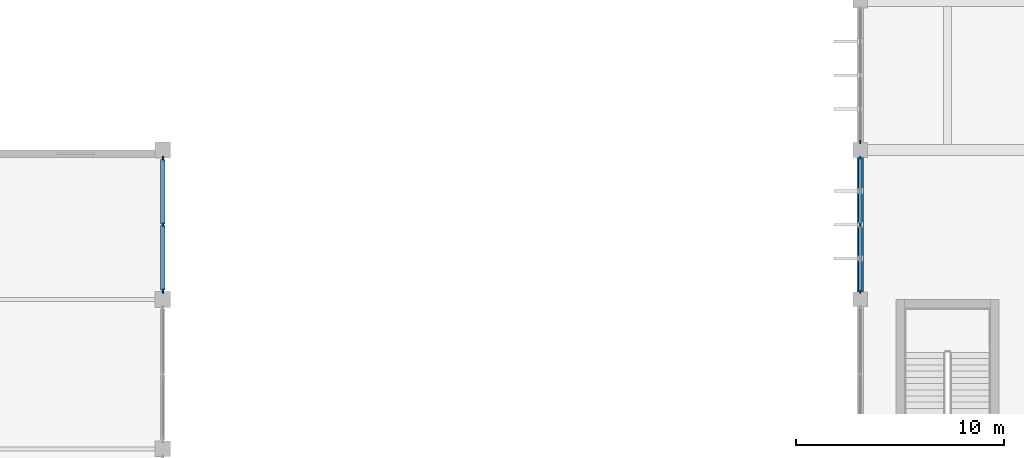
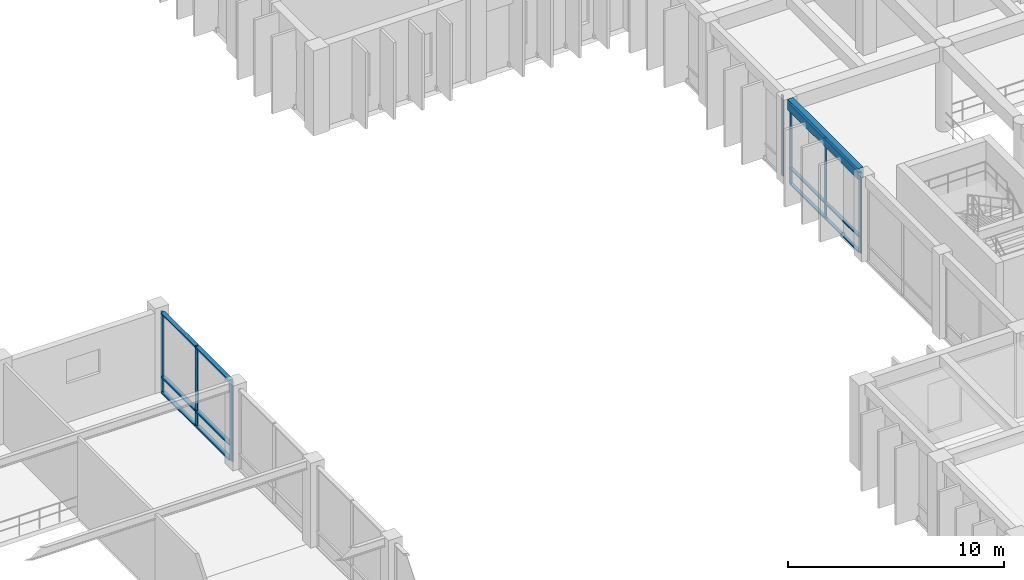
# One storey, part 18 of 51: 19 members, 1 beam, 3 elements without a shape of their own.
"""IFC4 building model written with IfcOpenShell, lengths in metres."""

from ifc_helpers import new_model, si_unit, direction, frame, origin, origin_2d, place, context, subcontext, project, spatial, rectangle, extrude, material, material_profile, profile_set, type_object, element, aggregate, save


model = new_model("IFC4")

# Units and contexts
model_context = context("Model", 3, precision=1e-05, world=origin(), true_north=direction((0.0, 1.0)))
body_context = subcontext(model_context, "Body", "Model", "MODEL_VIEW")
ifc_project = project(units=[si_unit("LENGTHUNIT", "METRE"), si_unit("AREAUNIT", "SQUARE_METRE"), si_unit("VOLUMEUNIT", "CUBIC_METRE"), si_unit("PLANEANGLEUNIT", "RADIAN"), si_unit("MASSUNIT", "GRAM", prefix="KILO")], contexts=[model_context])

# Site, building, storey
site_placement = place(None, origin())
site = spatial("IfcSite", under=ifc_project, at=site_placement, CompositionType="ELEMENT")
building_placement = place(site_placement, origin())
building = spatial("IfcBuilding", under=site, at=building_placement, Name="Kenerak Square Central Library", CompositionType="ELEMENT")
storey_placement = place(building_placement, frame((0.0, 0.0, 9.60009765625)))
storey = spatial("IfcBuildingStorey", under=building, at=storey_placement, Name="L02", CompositionType="ELEMENT", Elevation=9.60009765625)

# Beam
ifc_material_1 = material(Name="Concrete C40/50", Category="concrete")
ifc_material_profile_1 = material_profile(ifc_material_1, rectangle(XDim=0.300048828125, YDim=0.60009765625, at=origin_2d()), Name="RC 300x600")
ifc_profile_set_1 = profile_set([ifc_material_profile_1], Name="Concrete C40/50")
beam_type = type_object("IfcBeamType", Name="Courtyard Spandrel Beam SP-02 RC 300x600 C40/50", PredefinedType="SPANDREL", material=ifc_profile_set_1)
beam_placement = place(storey_placement, frame((66.800048828125, 67.550048828125, 4.5), z_axis=(0.0, 1.0, 0.0), x_axis=(-1.0, 0.0, 0.0)))
element("IfcBeam", 1, at=beam_placement, inside=storey, type_object=beam_type, Name="Beam SP-02 L02 1290", PredefinedType="SPANDREL", context=body_context, shape_type="SweptSolid", body=[
    extrude(rectangle(XDim=0.300048828125, YDim=0.60009765625, at=origin_2d()), origin(), (0.0, 0.0, 1.0), 6.5),
])

# Curtain wall, members
ifc_material_2 = material(Name="Anodised aluminium and solar-control low-E glazing", Category="aluminium")
curtain_wall_type_1 = type_object("IfcCurtainWallType", Name="Curtain Wall CW-V4-65x45 6500x4550", PredefinedType="USERDEFINED", material=ifc_material_2)
curtain_wall_1_placement = place(storey_placement, origin())
curtain_wall_1 = element("IfcCurtainWall", 2, at=curtain_wall_1_placement, inside=storey, type_object=curtain_wall_type_1, Name="Curtain Wall CW-V4-65x45 L02 0079", ObjectType="CURTAIN WALL", PredefinedType="USERDEFINED")
ifc_material_3 = material(Name="Anodised aluminium 6063-T6", Category="aluminium")
ifc_material_profile_2 = material_profile(ifc_material_3, rectangle(XDim=0.06494140625, YDim=0.179931640625, at=origin_2d()), Name="AL MULLION 65x180")
ifc_profile_set_2 = profile_set([ifc_material_profile_2], Name="Anodised aluminium 6063-T6")
member_type_1 = type_object("IfcMemberType", Name="Curtain Mullion CM-01 65x180", PredefinedType="MULLION", material=ifc_profile_set_2)
member_1_placement = place(storey_placement, frame((66.800048828125, 67.58251953125, 0.0), z_axis=(0.0, 0.0, 1.0), x_axis=(-1.0, 0.0, 0.0)))
member_1 = element("IfcMember", 3, at=member_1_placement, type_object=member_type_1, Name="CW-V4-65x45 Mullion 1", PredefinedType="MULLION", context=body_context, shape_type="SweptSolid", body=[
    extrude(rectangle(XDim=0.06494140625, YDim=0.179931640625, at=origin_2d()), origin(), (0.0, 0.0, 1.0), 4.5498046875),
])
member_2_placement = place(storey_placement, frame((66.800048828125, 70.800048828125, 0.0), z_axis=(0.0, 0.0, 1.0), x_axis=(-1.0, 0.0, 0.0)))
member_2 = element("IfcMember", 4, at=member_2_placement, type_object=member_type_1, Name="CW-V4-65x45 Mullion 2", PredefinedType="MULLION", context=body_context, shape_type="SweptSolid", body=[
    extrude(rectangle(XDim=0.06494140625, YDim=0.179931640625, at=origin_2d()), origin(), (0.0, 0.0, 1.0), 4.5498046875),
])
member_3_placement = place(storey_placement, frame((66.800048828125, 74.017578125, 0.0), z_axis=(0.0, 0.0, 1.0), x_axis=(-1.0, 0.0, 0.0)))
member_3 = element("IfcMember", 5, at=member_3_placement, type_object=member_type_1, Name="CW-V4-65x45 Mullion 3", PredefinedType="MULLION", context=body_context, shape_type="SweptSolid", body=[
    extrude(rectangle(XDim=0.06494140625, YDim=0.179931640625, at=origin_2d()), origin(), (0.0, 0.0, 1.0), 4.5498046875),
])

# Curtain wall, member
curtain_wall_2_placement = place(storey_placement, origin())
curtain_wall_2 = element("IfcCurtainWall", 6, at=curtain_wall_2_placement, inside=storey, type_object=curtain_wall_type_1, Name="Curtain Wall CW-V4-65x45 L02 0080", ObjectType="CURTAIN WALL", PredefinedType="USERDEFINED")
member_4_placement = place(storey_placement, frame((66.800048828125, 74.782470703125, 0.0), z_axis=(0.0, 0.0, 1.0), x_axis=(-1.0, 0.0, 0.0)))
member_4 = element("IfcMember", 7, at=member_4_placement, type_object=member_type_1, Name="CW-V4-65x45 Mullion 1", PredefinedType="MULLION", context=body_context, shape_type="SweptSolid", body=[
    extrude(rectangle(XDim=0.06494140625, YDim=0.179931640625, at=origin_2d()), origin(), (0.0, 0.0, 1.0), 4.5498046875),
])
aggregate(curtain_wall_2, [member_4])

# Curtain wall, members
curtain_wall_type_2 = type_object("IfcCurtainWallType", Name="Curtain Wall CW-V3-64x45 6450x4550", PredefinedType="USERDEFINED", material=ifc_material_2)
curtain_wall_3_placement = place(storey_placement, origin())
curtain_wall_3 = element("IfcCurtainWall", 8, at=curtain_wall_3_placement, inside=storey, type_object=curtain_wall_type_2, Name="Curtain Wall CW-V3-64x45 L02 0067", ObjectType="CURTAIN WALL", PredefinedType="USERDEFINED")
ifc_material_profile_3 = material_profile(ifc_material_3, rectangle(XDim=0.080078125, YDim=0.239990234375, at=origin_2d()), Name="AL MULLION 80x240")
ifc_profile_set_3 = profile_set([ifc_material_profile_3], Name="Anodised aluminium 6063-T6")
member_type_2 = type_object("IfcMemberType", Name="Curtain Mullion CM-04 80x240", PredefinedType="MULLION", material=ifc_profile_set_3)
member_5_placement = place(storey_placement, frame((33.199951171875, 73.985107421875, 0.0), z_axis=(0.0, 0.0, 1.0), x_axis=(1.0, 0.0, 0.0)))
member_5 = element("IfcMember", 9, at=member_5_placement, type_object=member_type_2, Name="CW-V3-64x45 Mullion 1", PredefinedType="MULLION", context=body_context, shape_type="SweptSolid", body=[
    extrude(rectangle(XDim=0.080078125, YDim=0.239990234375, at=origin_2d()), origin(), (0.0, 0.0, 1.0), 4.5498046875),
])
member_6_placement = place(storey_placement, frame((33.199951171875, 70.800048828125, 0.0), z_axis=(0.0, 0.0, 1.0), x_axis=(1.0, 0.0, 0.0)))
member_6 = element("IfcMember", 10, at=member_6_placement, type_object=member_type_2, Name="CW-V3-64x45 Mullion 2", PredefinedType="MULLION", context=body_context, shape_type="SweptSolid", body=[
    extrude(rectangle(XDim=0.080078125, YDim=0.239990234375, at=origin_2d()), origin(), (0.0, 0.0, 1.0), 4.5498046875),
])
member_7_placement = place(storey_placement, frame((33.199951171875, 67.614990234375, 0.0), z_axis=(0.0, 0.0, 1.0), x_axis=(1.0, 0.0, 0.0)))
member_7 = element("IfcMember", 11, at=member_7_placement, type_object=member_type_2, Name="CW-V3-64x45 Mullion 3", PredefinedType="MULLION", context=body_context, shape_type="SweptSolid", body=[
    extrude(rectangle(XDim=0.080078125, YDim=0.239990234375, at=origin_2d()), origin(), (0.0, 0.0, 1.0), 4.5498046875),
])

# Member
ifc_material_profile_4 = material_profile(ifc_material_3, rectangle(XDim=0.159912109375, YDim=0.06494140625, at=origin_2d()), Name="AL TRANSOM 160x65")
ifc_profile_set_4 = profile_set([ifc_material_profile_4], Name="Anodised aluminium 6063-T6")
member_type_3 = type_object("IfcMemberType", Name="Curtain Transom CT-11 160x65", PredefinedType="USERDEFINED", material=ifc_profile_set_4)
member_8_placement = place(storey_placement, frame((66.800048828125, 67.614990234375, 0.032470703125), z_axis=(0.0, 1.0, 0.0), x_axis=(-1.0, 0.0, 0.0)))
member_8 = element("IfcMember", 12, at=member_8_placement, type_object=member_type_3, Name="CW-V4-65x45 Transom 1.1", ObjectType="TRANSOM", PredefinedType="USERDEFINED", context=body_context, shape_type="SweptSolid", body=[
    extrude(rectangle(XDim=0.159912109375, YDim=0.06494140625, at=origin_2d()), origin(), (0.0, 0.0, 1.0), 3.152587890625),
])

member_9_placement = place(storey_placement, frame((66.800048828125, 67.614990234375, 0.89990234375), z_axis=(0.0, 1.0, 0.0), x_axis=(-1.0, 0.0, 0.0)))
member_9 = element("IfcMember", 13, at=member_9_placement, type_object=member_type_3, Name="CW-V4-65x45 Transom 1.2", ObjectType="TRANSOM", PredefinedType="USERDEFINED", context=body_context, shape_type="SweptSolid", body=[
    extrude(rectangle(XDim=0.159912109375, YDim=0.06494140625, at=origin_2d()), origin(), (0.0, 0.0, 1.0), 3.152587890625),
])

member_10_placement = place(storey_placement, frame((66.800048828125, 67.614990234375, 4.517333984375), z_axis=(0.0, 1.0, 0.0), x_axis=(-1.0, 0.0, 0.0)))
member_10 = element("IfcMember", 14, at=member_10_placement, type_object=member_type_3, Name="CW-V4-65x45 Transom 1.3", ObjectType="TRANSOM", PredefinedType="USERDEFINED", context=body_context, shape_type="SweptSolid", body=[
    extrude(rectangle(XDim=0.159912109375, YDim=0.06494140625, at=origin_2d()), origin(), (0.0, 0.0, 1.0), 3.152587890625),
])

member_11_placement = place(storey_placement, frame((66.800048828125, 70.83251953125, 0.032470703125), z_axis=(0.0, 1.0, 0.0), x_axis=(-1.0, 0.0, 0.0)))
member_11 = element("IfcMember", 15, at=member_11_placement, type_object=member_type_3, Name="CW-V4-65x45 Transom 2.1", ObjectType="TRANSOM", PredefinedType="USERDEFINED", context=body_context, shape_type="SweptSolid", body=[
    extrude(rectangle(XDim=0.159912109375, YDim=0.06494140625, at=origin_2d()), origin(), (0.0, 0.0, 1.0), 3.152587890625),
])

member_12_placement = place(storey_placement, frame((66.800048828125, 70.83251953125, 0.89990234375), z_axis=(0.0, 1.0, 0.0), x_axis=(-1.0, 0.0, 0.0)))
member_12 = element("IfcMember", 16, at=member_12_placement, type_object=member_type_3, Name="CW-V4-65x45 Transom 2.2", ObjectType="TRANSOM", PredefinedType="USERDEFINED", context=body_context, shape_type="SweptSolid", body=[
    extrude(rectangle(XDim=0.159912109375, YDim=0.06494140625, at=origin_2d()), origin(), (0.0, 0.0, 1.0), 3.152587890625),
])

member_13_placement = place(storey_placement, frame((66.800048828125, 70.83251953125, 4.517333984375), z_axis=(0.0, 1.0, 0.0), x_axis=(-1.0, 0.0, 0.0)))
member_13 = element("IfcMember", 17, at=member_13_placement, type_object=member_type_3, Name="CW-V4-65x45 Transom 2.3", ObjectType="TRANSOM", PredefinedType="USERDEFINED", context=body_context, shape_type="SweptSolid", body=[
    extrude(rectangle(XDim=0.159912109375, YDim=0.06494140625, at=origin_2d()), origin(), (0.0, 0.0, 1.0), 3.152587890625),
])

aggregate(curtain_wall_1, [member_1, member_2, member_3, member_8, member_9, member_10, member_11, member_12, member_13])

ifc_material_profile_5 = material_profile(ifc_material_3, rectangle(XDim=0.219970703125, YDim=0.080078125, at=origin_2d()), Name="AL TRANSOM 220x80")
ifc_profile_set_5 = profile_set([ifc_material_profile_5], Name="Anodised aluminium 6063-T6")
member_type_4 = type_object("IfcMemberType", Name="Curtain Transom CT-14 220x80", PredefinedType="USERDEFINED", material=ifc_profile_set_5)
member_14_placement = place(storey_placement, frame((33.199951171875, 73.945068359375, 0.039794921875), z_axis=(0.0, -1.0, 0.0), x_axis=(1.0, 0.0, 0.0)))
member_14 = element("IfcMember", 18, at=member_14_placement, type_object=member_type_4, Name="CW-V3-64x45 Transom 1.1", ObjectType="TRANSOM", PredefinedType="USERDEFINED", context=body_context, shape_type="SweptSolid", body=[
    extrude(rectangle(XDim=0.219970703125, YDim=0.080078125, at=origin_2d()), origin(), (0.0, 0.0, 1.0), 3.10498046875),
])

member_15_placement = place(storey_placement, frame((33.199951171875, 73.945068359375, 0.89990234375), z_axis=(0.0, -1.0, 0.0), x_axis=(1.0, 0.0, 0.0)))
member_15 = element("IfcMember", 19, at=member_15_placement, type_object=member_type_4, Name="CW-V3-64x45 Transom 1.2", ObjectType="TRANSOM", PredefinedType="USERDEFINED", context=body_context, shape_type="SweptSolid", body=[
    extrude(rectangle(XDim=0.219970703125, YDim=0.080078125, at=origin_2d()), origin(), (0.0, 0.0, 1.0), 3.10498046875),
])

member_16_placement = place(storey_placement, frame((33.199951171875, 73.945068359375, 4.510009765625), z_axis=(0.0, -1.0, 0.0), x_axis=(1.0, 0.0, 0.0)))
member_16 = element("IfcMember", 20, at=member_16_placement, type_object=member_type_4, Name="CW-V3-64x45 Transom 1.3", ObjectType="TRANSOM", PredefinedType="USERDEFINED", context=body_context, shape_type="SweptSolid", body=[
    extrude(rectangle(XDim=0.219970703125, YDim=0.080078125, at=origin_2d()), origin(), (0.0, 0.0, 1.0), 3.10498046875),
])

member_17_placement = place(storey_placement, frame((33.199951171875, 70.760009765625, 0.039794921875), z_axis=(0.0, -1.0, 0.0), x_axis=(1.0, 0.0, 0.0)))
member_17 = element("IfcMember", 21, at=member_17_placement, type_object=member_type_4, Name="CW-V3-64x45 Transom 2.1", ObjectType="TRANSOM", PredefinedType="USERDEFINED", context=body_context, shape_type="SweptSolid", body=[
    extrude(rectangle(XDim=0.219970703125, YDim=0.080078125, at=origin_2d()), origin(), (0.0, 0.0, 1.0), 3.10498046875),
])

member_18_placement = place(storey_placement, frame((33.199951171875, 70.760009765625, 0.89990234375), z_axis=(0.0, -1.0, 0.0), x_axis=(1.0, 0.0, 0.0)))
member_18 = element("IfcMember", 22, at=member_18_placement, type_object=member_type_4, Name="CW-V3-64x45 Transom 2.2", ObjectType="TRANSOM", PredefinedType="USERDEFINED", context=body_context, shape_type="SweptSolid", body=[
    extrude(rectangle(XDim=0.219970703125, YDim=0.080078125, at=origin_2d()), origin(), (0.0, 0.0, 1.0), 3.10498046875),
])

member_19_placement = place(storey_placement, frame((33.199951171875, 70.760009765625, 4.510009765625), z_axis=(0.0, -1.0, 0.0), x_axis=(1.0, 0.0, 0.0)))
member_19 = element("IfcMember", 23, at=member_19_placement, type_object=member_type_4, Name="CW-V3-64x45 Transom 2.3", ObjectType="TRANSOM", PredefinedType="USERDEFINED", context=body_context, shape_type="SweptSolid", body=[
    extrude(rectangle(XDim=0.219970703125, YDim=0.080078125, at=origin_2d()), origin(), (0.0, 0.0, 1.0), 3.10498046875),
])

aggregate(curtain_wall_3, [member_5, member_6, member_7, member_14, member_15, member_16, member_17, member_18, member_19])

save(model, "model.ifc")
